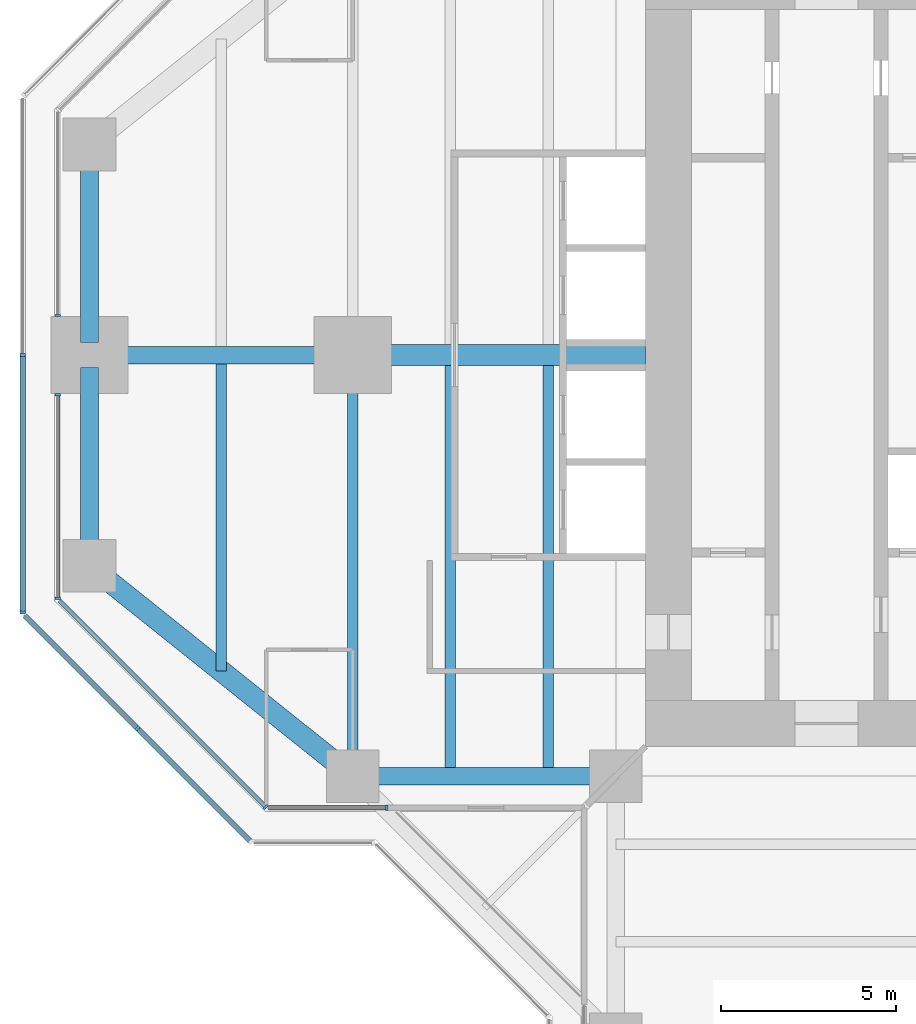
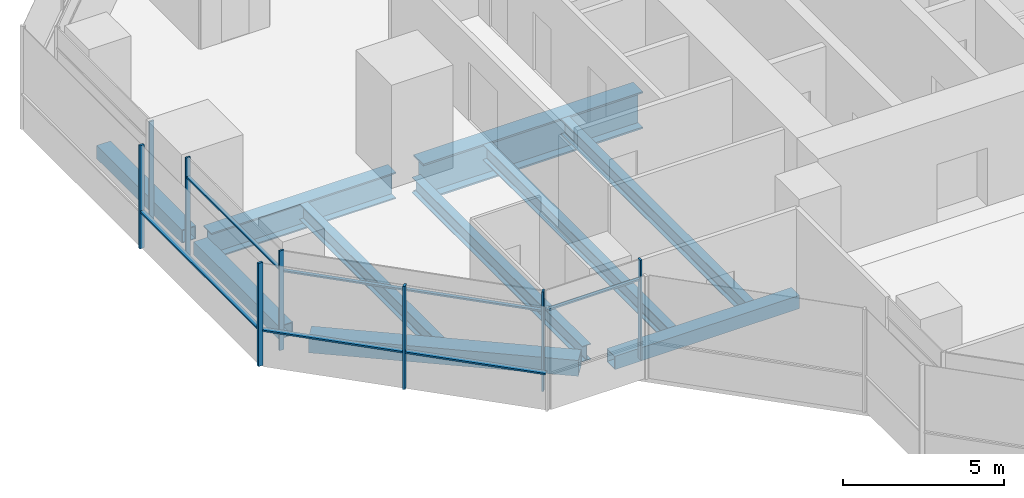
# One storey, part 3 of 17: 14 members, 10 beams, 6 elements without a shape of their own.
"""IFC4 building model written with IfcOpenShell, lengths in metres."""

from ifc_helpers import new_model, si_unit, direction, frame, origin, origin_2d, place, context, subcontext, project, spatial, rectangle, hollow_rectangle, i_section, extrude, material, material_profile, profile_set, type_object, element, aggregate, save


model = new_model("IFC4")

# Units and contexts
model_context = context("Model", 3, precision=1e-05, world=origin(), true_north=direction((0.0, 1.0)))
body_context = subcontext(model_context, "Body", "Model", "MODEL_VIEW")
ifc_project = project(units=[si_unit("LENGTHUNIT", "METRE"), si_unit("AREAUNIT", "SQUARE_METRE"), si_unit("VOLUMEUNIT", "CUBIC_METRE"), si_unit("PLANEANGLEUNIT", "RADIAN"), si_unit("MASSUNIT", "GRAM", prefix="KILO")], contexts=[model_context])

# Site, building, storey
site_placement = place(None, origin())
site = spatial("IfcSite", under=ifc_project, at=site_placement, CompositionType="ELEMENT")
building_placement = place(site_placement, origin())
building = spatial("IfcBuilding", under=site, at=building_placement, Name="Mizan Broadcast Tower", CompositionType="ELEMENT")
storey_placement = place(building_placement, frame((0.0, 0.0, 212.699951171875)))
storey = spatial("IfcBuildingStorey", under=building, at=storey_placement, Name="L49", CompositionType="ELEMENT", Elevation=212.699951171875)

# Beams
ifc_material_1 = material(Name="Steel S355", Category="steel")
ifc_material_profile_1 = material_profile(ifc_material_1, hollow_rectangle(XDim=0.5, YDim=0.5, WallThickness=0.030029296875, at=origin_2d()), Name="BOX 500x500x30")
ifc_profile_set_1 = profile_set([ifc_material_profile_1], Name="Steel S355")
beam_type_1 = type_object("IfcBeamType", Name="EDGE BEAM BOX 500x500x30", PredefinedType="SPANDREL", material=ifc_profile_set_1)
beam_1_placement = place(storey_placement, frame((-27.0, 5.639892578125, -0.3798828125), z_axis=(0.0, -1.0, 0.0), x_axis=(1.0, 0.0, 0.0)))
element("IfcBeam", 1, at=beam_1_placement, inside=storey, type_object=beam_type_1, Name="Edge beam BOX 500x500x30 L49 west arm", PredefinedType="SPANDREL", context=body_context, shape_type="SweptSolid", body=[
    extrude(hollow_rectangle(XDim=0.5, YDim=0.5, WallThickness=0.030029296875, at=origin_2d()), origin(), (0.0, 0.0, 1.0), 5.27978515625),
])
beam_2_placement = place(storey_placement, frame((-12.449951171875, -12.0, -0.3798828125), z_axis=(-1.0, 0.0, 0.0), x_axis=(0.0, -1.0, 0.0)))
element("IfcBeam", 2, at=beam_2_placement, inside=storey, type_object=beam_type_1, Name="Edge beam BOX 500x500x30 L49 west arm", PredefinedType="SPANDREL", context=body_context, shape_type="SweptSolid", body=[
    extrude(hollow_rectangle(XDim=0.5, YDim=0.5, WallThickness=0.030029296875, at=origin_2d()), origin(), (0.0, 0.0, 1.0), 6.60009765625),
])
beam_3_placement = place(storey_placement, frame((-27.0, -5.639892578125, -0.3798828125), z_axis=(0.0, 1.0, 0.0), x_axis=(-1.0, 0.0, 0.0)))
element("IfcBeam", 3, at=beam_3_placement, inside=storey, type_object=beam_type_1, Name="Edge beam BOX 500x500x30 L49 west arm", PredefinedType="SPANDREL", context=body_context, shape_type="SweptSolid", body=[
    extrude(hollow_rectangle(XDim=0.5, YDim=0.5, WallThickness=0.030029296875, at=origin_2d()), origin(), (0.0, 0.0, 1.0), 5.27978515625),
])
ifc_material_2 = material(Name="Steel S355", Category="steel")
ifc_material_profile_2 = material_profile(ifc_material_2, hollow_rectangle(XDim=0.60009765625, YDim=0.60009765625, WallThickness=0.030029296875, at=origin_2d()), Name="BOX 600x600x30")
ifc_profile_set_2 = profile_set([ifc_material_profile_2], Name="Steel S355")
beam_type_2 = type_object("IfcBeamType", Name="EDGE BEAM BOX 600x600x30", PredefinedType="SPANDREL", material=ifc_profile_set_2)
beam_4_placement = place(storey_placement, frame((-19.949951171875, -11.639892578125, -0.429931640625), z_axis=(-0.780885717636, 0.624673911726, 0.0), x_axis=(-0.624673911726, -0.780885717636, 0.0)))
element("IfcBeam", 4, at=beam_4_placement, inside=storey, type_object=beam_type_2, Name="Edge beam BOX 600x600x30 L49 west arm", PredefinedType="SPANDREL", context=body_context, shape_type="SweptSolid", body=[
    extrude(hollow_rectangle(XDim=0.60009765625, YDim=0.60009765625, WallThickness=0.030029296875, at=origin_2d()), origin(), (0.0, 0.0, 1.0), 8.4521484375),
])
ifc_material_3 = material(Name="Steel S355", Category="steel")
ifc_material_profile_3 = material_profile(ifc_material_3, i_section(OverallWidth=0.300048828125, OverallDepth=0.590087890625, WebThickness=0.012939453125, FlangeThickness=0.02490234375, FilletRadius=0.027099609375, at=origin_2d()), Name="HEA 600")
ifc_profile_set_3 = profile_set([ifc_material_profile_3], Name="Steel S355")
beam_type_3 = type_object("IfcBeamType", Name="GIRDER HEA 600", PredefinedType="BEAM", material=ifc_profile_set_3)
beam_5_placement = place(storey_placement, frame((-19.5, -11.280029296875, -0.425048828125), z_axis=(0.0, 1.0, 0.0), x_axis=(-1.0, 0.0, 0.0)))
element("IfcBeam", 5, at=beam_5_placement, inside=storey, type_object=beam_type_3, Name="Girder HEA 600 L49 west arm", PredefinedType="BEAM", context=body_context, shape_type="SweptSolid", body=[
    extrude(i_section(OverallWidth=0.300048828125, OverallDepth=0.590087890625, WebThickness=0.012939453125, FlangeThickness=0.02490234375, FilletRadius=0.027099609375, at=origin_2d()), origin(), (0.0, 0.0, 1.0), 10.56005859375),
])
ifc_material_4 = material(Name="Steel S460", Category="steel")
ifc_material_profile_4 = material_profile(ifc_material_4, i_section(OverallWidth=0.5, OverallDepth=1.0, WebThickness=0.02490234375, FlangeThickness=0.050048828125, at=origin_2d()), Name="WPG 1000x500")
ifc_profile_set_4 = profile_set([ifc_material_profile_4], Name="Steel S460")
beam_type_4 = type_object("IfcBeamType", Name="GIRDER WPG 1000x500", PredefinedType="BEAM", material=ifc_profile_set_4)
beam_6_placement = place(storey_placement, frame((-19.949951171875, 0.0, -0.6298828125), z_axis=(-1.0, 0.0, 0.0), x_axis=(0.0, -1.0, 0.0)))
element("IfcBeam", 6, at=beam_6_placement, inside=storey, type_object=beam_type_4, Name="Girder WPG 1000x500 L49 west arm", PredefinedType="BEAM", context=body_context, shape_type="SweptSolid", body=[
    extrude(i_section(OverallWidth=0.5, OverallDepth=1.0, WebThickness=0.02490234375, FlangeThickness=0.050048828125, at=origin_2d()), origin(), (0.0, 0.0, 1.0), 6.60009765625),
])
ifc_material_5 = material(Name="Steel S460", Category="steel")
ifc_material_profile_5 = material_profile(ifc_material_5, i_section(OverallWidth=0.60009765625, OverallDepth=1.39990234375, WebThickness=0.02490234375, FlangeThickness=0.06005859375, at=origin_2d()), Name="WPG 1400x600")
ifc_profile_set_5 = profile_set([ifc_material_profile_5], Name="Steel S460")
beam_type_5 = type_object("IfcBeamType", Name="GIRDER WPG 1400x600", PredefinedType="BEAM", material=ifc_profile_set_5)
beam_7_placement = place(storey_placement, frame((-11.14990234375, 0.0, -0.829833984375), z_axis=(-1.0, 0.0, 0.0), x_axis=(0.0, -1.0, 0.0)))
element("IfcBeam", 7, at=beam_7_placement, inside=storey, type_object=beam_type_5, Name="Girder WPG 1400x600 L49 west arm", PredefinedType="BEAM", context=body_context, shape_type="SweptSolid", body=[
    extrude(i_section(OverallWidth=0.60009765625, OverallDepth=1.39990234375, WebThickness=0.02490234375, FlangeThickness=0.06005859375, at=origin_2d()), origin(), (0.0, 0.0, 1.0), 7.84912109375),
])

# Curtain wall, member
ifc_material_6 = material(Name="Aluminium framed glazing", Category="aluminium")
curtain_wall_type_1 = type_object("IfcCurtainWallType", Name="INNER SKIN HIGH ZONE", PredefinedType="USERDEFINED", material=ifc_material_6)
curtain_wall_1_placement = place(storey_placement, origin())
curtain_wall_1 = element("IfcCurtainWall", 8, at=curtain_wall_1_placement, inside=storey, type_object=curtain_wall_type_1, Name="Inner skin high zone L49 W end", ObjectType="INNER SKIN HIGH ZONE", PredefinedType="USERDEFINED")
ifc_material_7 = material(Name="Aluminium, pale anodised", Category="aluminium")
ifc_material_profile_6 = material_profile(ifc_material_7, rectangle(XDim=0.159912109375, YDim=0.06005859375, at=origin_2d()), Name="MULLION 160x60")
ifc_profile_set_6 = profile_set([ifc_material_profile_6], Name="Aluminium, pale anodised")
member_type_1 = type_object("IfcMemberType", Name="INNER SKIN MULLION 60x160", PredefinedType="MULLION", material=ifc_profile_set_6)
member_1_placement = place(storey_placement, frame((-27.89990234375, 1.1298828125, 0.0), z_axis=(0.0, 0.0, 1.0), x_axis=(1.0, 0.0, 0.0)))
member_1 = element("IfcMember", 9, at=member_1_placement, type_object=member_type_1, Name="Inner skin high zone L49 W end mullion 2", PredefinedType="MULLION", context=body_context, shape_type="SweptSolid", body=[
    extrude(rectangle(XDim=0.159912109375, YDim=0.06005859375, at=origin_2d()), origin(), (0.0, 0.0, 1.0), 3.77001953125),
])
aggregate(curtain_wall_1, [member_1])

# Curtain wall, members
curtain_wall_2_placement = place(storey_placement, origin())
curtain_wall_2 = element("IfcCurtainWall", 10, at=curtain_wall_2_placement, inside=storey, type_object=curtain_wall_type_1, Name="Inner skin high zone L49 W end", ObjectType="INNER SKIN HIGH ZONE", PredefinedType="USERDEFINED")
member_2_placement = place(storey_placement, frame((-27.89990234375, -1.1298828125, 0.0), z_axis=(0.0, 0.0, 1.0), x_axis=(1.0, 0.0, 0.0)))
member_2 = element("IfcMember", 11, at=member_2_placement, type_object=member_type_1, Name="Inner skin high zone L49 W end mullion 1", PredefinedType="MULLION", context=body_context, shape_type="SweptSolid", body=[
    extrude(rectangle(XDim=0.159912109375, YDim=0.06005859375, at=origin_2d()), origin(), (0.0, 0.0, 1.0), 3.77001953125),
])
member_3_placement = place(storey_placement, frame((-27.89990234375, -6.928466796875, 0.0), z_axis=(0.0, 0.0, 1.0), x_axis=(1.0, 0.0, 0.0)))
member_3 = element("IfcMember", 12, at=member_3_placement, type_object=member_type_1, Name="Inner skin high zone L49 W end mullion 2", PredefinedType="MULLION", context=body_context, shape_type="SweptSolid", body=[
    extrude(rectangle(XDim=0.159912109375, YDim=0.06005859375, at=origin_2d()), origin(), (0.0, 0.0, 1.0), 3.77001953125),
])

# Curtain wall, member
curtain_wall_3_placement = place(storey_placement, origin())
curtain_wall_3 = element("IfcCurtainWall", 13, at=curtain_wall_3_placement, inside=storey, type_object=curtain_wall_type_1, Name="Inner skin high zone L49 W chamfer", ObjectType="INNER SKIN HIGH ZONE", PredefinedType="USERDEFINED")
member_4_placement = place(storey_placement, frame((-21.979736328125, -12.87890625, 0.0), z_axis=(0.0, 0.0, 1.0), x_axis=(0.707106781187, 0.707106781187, 0.0)))
member_4 = element("IfcMember", 14, at=member_4_placement, type_object=member_type_1, Name="Inner skin high zone L49 W chamfer mullion 2", PredefinedType="MULLION", context=body_context, shape_type="SweptSolid", body=[
    extrude(rectangle(XDim=0.159912109375, YDim=0.06005859375, at=origin_2d()), origin(), (0.0, 0.0, 1.0), 3.77001953125),
])

curtain_wall_4_placement = place(storey_placement, origin())
curtain_wall_4 = element("IfcCurtainWall", 15, at=curtain_wall_4_placement, inside=storey, type_object=curtain_wall_type_1, Name="Inner skin high zone L49 W side", ObjectType="INNER SKIN HIGH ZONE", PredefinedType="USERDEFINED")
member_5_placement = place(storey_placement, frame((-18.530029296875, -12.89990234375, 0.0), z_axis=(0.0, 0.0, 1.0), x_axis=(0.0, 1.0, 0.0)))
member_5 = element("IfcMember", 16, at=member_5_placement, type_object=member_type_1, Name="Inner skin high zone L49 W side mullion 2", PredefinedType="MULLION", context=body_context, shape_type="SweptSolid", body=[
    extrude(rectangle(XDim=0.159912109375, YDim=0.06005859375, at=origin_2d()), origin(), (0.0, 0.0, 1.0), 3.77001953125),
])

# Member
ifc_material_8 = material(Name="Aluminium, pale anodised", Category="aluminium")
ifc_material_profile_7 = material_profile(ifc_material_8, rectangle(XDim=0.1201171875, YDim=0.06005859375, at=origin_2d()), Name="TRANSOM 120x60")
ifc_profile_set_7 = profile_set([ifc_material_profile_7], Name="Aluminium, pale anodised")
member_type_2 = type_object("IfcMemberType", Name="INNER SKIN TRANSOM 60x120", PredefinedType="USERDEFINED", material=ifc_profile_set_7)
member_6_placement = place(storey_placement, frame((-27.89990234375, -1.159912109375, 3.030029296875), z_axis=(0.0, -1.0, 0.0), x_axis=(1.0, 0.0, 0.0)))
member_6 = element("IfcMember", 17, at=member_6_placement, type_object=member_type_2, Name="Inner skin high zone L49 W end transom 1.1", ObjectType="TRANSOM", PredefinedType="USERDEFINED", context=body_context, shape_type="SweptSolid", body=[
    extrude(rectangle(XDim=0.1201171875, YDim=0.06005859375, at=origin_2d()), origin(), (0.0, 0.0, 1.0), 5.73876953125),
])

aggregate(curtain_wall_2, [member_2, member_3, member_6])

member_7_placement = place(storey_placement, frame((-27.857666015625, -7.0009765625, 3.030029296875), z_axis=(0.707106781187, -0.707106781187, 0.0), x_axis=(0.707106781187, 0.707106781187, 0.0)))
member_7 = element("IfcMember", 18, at=member_7_placement, type_object=member_type_2, Name="Inner skin high zone L49 W chamfer transom 1.1", ObjectType="TRANSOM", PredefinedType="USERDEFINED", context=body_context, shape_type="SweptSolid", body=[
    extrude(rectangle(XDim=0.1201171875, YDim=0.06005859375, at=origin_2d()), origin(), (0.0, 0.0, 1.0), 8.28271484375),
])

aggregate(curtain_wall_3, [member_4, member_7])

member_8_placement = place(storey_placement, frame((-21.898681640625, -12.89990234375, 3.030029296875), z_axis=(1.0, 0.0, 0.0), x_axis=(0.0, 1.0, 0.0)))
member_8 = element("IfcMember", 19, at=member_8_placement, type_object=member_type_2, Name="Inner skin high zone L49 W side transom 1.1", ObjectType="TRANSOM", PredefinedType="USERDEFINED", context=body_context, shape_type="SweptSolid", body=[
    extrude(rectangle(XDim=0.1201171875, YDim=0.06005859375, at=origin_2d()), origin(), (0.0, 0.0, 1.0), 3.338623046875),
])

aggregate(curtain_wall_4, [member_5, member_8])

# Curtain wall, members
ifc_material_9 = material(Name="Aluminium framed glazing", Category="aluminium")
curtain_wall_type_2 = type_object("IfcCurtainWallType", Name="OUTER SKIN", PredefinedType="USERDEFINED", material=ifc_material_9)
curtain_wall_5_placement = place(storey_placement, origin())
curtain_wall_5 = element("IfcCurtainWall", 20, at=curtain_wall_5_placement, inside=storey, type_object=curtain_wall_type_2, Name="Outer skin L49 W end", ObjectType="OUTER SKIN", PredefinedType="USERDEFINED")
ifc_material_10 = material(Name="Aluminium, pale anodised", Category="aluminium")
ifc_material_profile_8 = material_profile(ifc_material_10, rectangle(XDim=0.159912109375, YDim=0.080078125, at=origin_2d()), Name="MULLION 160x80")
ifc_profile_set_8 = profile_set([ifc_material_profile_8], Name="Aluminium, pale anodised")
member_type_3 = type_object("IfcMemberType", Name="OUTER SKIN MULLION 80x160", PredefinedType="MULLION", material=ifc_profile_set_8)
member_9_placement = place(storey_placement, frame((-28.89990234375, 0.0, 0.0), z_axis=(0.0, 0.0, 1.0), x_axis=(1.0, 0.0, 0.0)))
member_9 = element("IfcMember", 21, at=member_9_placement, type_object=member_type_3, Name="Outer skin L49 W end mullion 2", PredefinedType="MULLION", context=body_context, shape_type="SweptSolid", body=[
    extrude(rectangle(XDim=0.159912109375, YDim=0.080078125, at=origin_2d()), origin(), (0.0, 0.0, 1.0), 3.900146484375),
])
member_10_placement = place(storey_placement, frame((-28.89990234375, -7.332763671875, 0.0), z_axis=(0.0, 0.0, 1.0), x_axis=(1.0, 0.0, 0.0)))
member_10 = element("IfcMember", 22, at=member_10_placement, type_object=member_type_3, Name="Outer skin L49 W end mullion 3", PredefinedType="MULLION", context=body_context, shape_type="SweptSolid", body=[
    extrude(rectangle(XDim=0.159912109375, YDim=0.080078125, at=origin_2d()), origin(), (0.0, 0.0, 1.0), 3.900146484375),
])

# Curtain wall, member
curtain_wall_6_placement = place(storey_placement, origin())
curtain_wall_6 = element("IfcCurtainWall", 23, at=curtain_wall_6_placement, inside=storey, type_object=curtain_wall_type_2, Name="Outer skin L49 W chamfer", ObjectType="OUTER SKIN", PredefinedType="USERDEFINED")
member_11_placement = place(storey_placement, frame((-25.636474609375, -10.636474609375, 0.0), z_axis=(0.0, 0.0, 1.0), x_axis=(0.707106781187, 0.707106781187, 0.0)))
member_11 = element("IfcMember", 24, at=member_11_placement, type_object=member_type_3, Name="Outer skin L49 W chamfer mullion 2", PredefinedType="MULLION", context=body_context, shape_type="SweptSolid", body=[
    extrude(rectangle(XDim=0.159912109375, YDim=0.080078125, at=origin_2d()), origin(), (0.0, 0.0, 1.0), 3.900146484375),
])

# Member
ifc_material_11 = material(Name="Aluminium, pale anodised", Category="aluminium")
ifc_material_profile_9 = material_profile(ifc_material_11, rectangle(XDim=0.159912109375, YDim=0.06005859375, at=origin_2d()), Name="TRANSOM 160x60")
ifc_profile_set_9 = profile_set([ifc_material_profile_9], Name="Aluminium, pale anodised")
member_type_4 = type_object("IfcMemberType", Name="OUTER SKIN TRANSOM 60x160", PredefinedType="USERDEFINED", material=ifc_profile_set_9)
member_12_placement = place(storey_placement, frame((-28.89990234375, -0.0400390625, 1.400146484375), z_axis=(0.0, -1.0, 0.0), x_axis=(1.0, 0.0, 0.0)))
member_12 = element("IfcMember", 25, at=member_12_placement, type_object=member_type_4, Name="Outer skin L49 W end transom 2.1", ObjectType="TRANSOM", PredefinedType="USERDEFINED", context=body_context, shape_type="SweptSolid", body=[
    extrude(rectangle(XDim=0.159912109375, YDim=0.06005859375, at=origin_2d()), origin(), (0.0, 0.0, 1.0), 7.252685546875),
])

aggregate(curtain_wall_5, [member_9, member_10, member_12])

member_13_placement = place(storey_placement, frame((-28.843505859375, -7.429443359375, 1.400146484375), z_axis=(0.707106781187, -0.707106781187, 0.0), x_axis=(0.707106781187, 0.707106781187, 0.0)))
member_13 = element("IfcMember", 26, at=member_13_placement, type_object=member_type_4, Name="Outer skin L49 W chamfer transom 1.1", ObjectType="TRANSOM", PredefinedType="USERDEFINED", context=body_context, shape_type="SweptSolid", body=[
    extrude(rectangle(XDim=0.159912109375, YDim=0.06005859375, at=origin_2d()), origin(), (0.0, 0.0, 1.0), 4.495361328125),
])

member_14_placement = place(storey_placement, frame((-25.608154296875, -10.664794921875, 1.400146484375), z_axis=(0.707106781187, -0.707106781187, 0.0), x_axis=(0.707106781187, 0.707106781187, 0.0)))
member_14 = element("IfcMember", 27, at=member_14_placement, type_object=member_type_4, Name="Outer skin L49 W chamfer transom 2.1", ObjectType="TRANSOM", PredefinedType="USERDEFINED", context=body_context, shape_type="SweptSolid", body=[
    extrude(rectangle(XDim=0.159912109375, YDim=0.06005859375, at=origin_2d()), origin(), (0.0, 0.0, 1.0), 4.495361328125),
])

aggregate(curtain_wall_6, [member_11, member_13, member_14])

# Beams
ifc_material_12 = material(Name="Steel S355", Category="steel")
ifc_material_profile_10 = material_profile(ifc_material_12, i_section(OverallWidth=0.300048828125, OverallDepth=0.590087890625, WebThickness=0.012939453125, FlangeThickness=0.02490234375, FilletRadius=0.027099609375, at=origin_2d()), Name="HEA 600")
ifc_profile_set_10 = profile_set([ifc_material_profile_10], Name="Steel S355")
beam_type_6 = type_object("IfcBeamType", Name="SECONDARY BEAM HEA 600", PredefinedType="JOIST", material=ifc_profile_set_10)
for number, where, z_axis, x_axis, name in (
    (28, (-13.933349609375, -12.0, -0.425048828125), (0.0, 1.0, 0.0), (-1.0, 0.0, 0.0), "Secondary beam HEA 600 L49 west arm"),
    (29, (-16.716552734375, -12.0, -0.425048828125), (0.0, 1.0, 0.0), (-1.0, 0.0, 0.0), "Secondary beam HEA 600 L49 west arm"),
):
    element("IfcBeam", number, at=place(storey_placement, frame(where, z_axis=z_axis, x_axis=x_axis)), inside=storey, type_object=beam_type_6, Name=name, PredefinedType="JOIST", context=body_context, shape_type="SweptSolid", body=[
        extrude(i_section(OverallWidth=0.300048828125, OverallDepth=0.590087890625, WebThickness=0.012939453125, FlangeThickness=0.02490234375, FilletRadius=0.027099609375, at=origin_2d()), origin(), (0.0, 0.0, 1.0), 11.699951171875),
    ])
beam_8_placement = place(storey_placement, frame((-23.25, -9.0, -0.425048828125), z_axis=(0.0, 1.0, 0.0), x_axis=(-1.0, 0.0, 0.0)))
element("IfcBeam", 30, at=beam_8_placement, inside=storey, type_object=beam_type_6, Name="Secondary beam HEA 600 L49 west arm", PredefinedType="JOIST", context=body_context, shape_type="SweptSolid", body=[
    extrude(i_section(OverallWidth=0.300048828125, OverallDepth=0.590087890625, WebThickness=0.012939453125, FlangeThickness=0.02490234375, FilletRadius=0.027099609375, at=origin_2d()), origin(), (0.0, 0.0, 1.0), 8.75),
])

save(model, "model.ifc")
